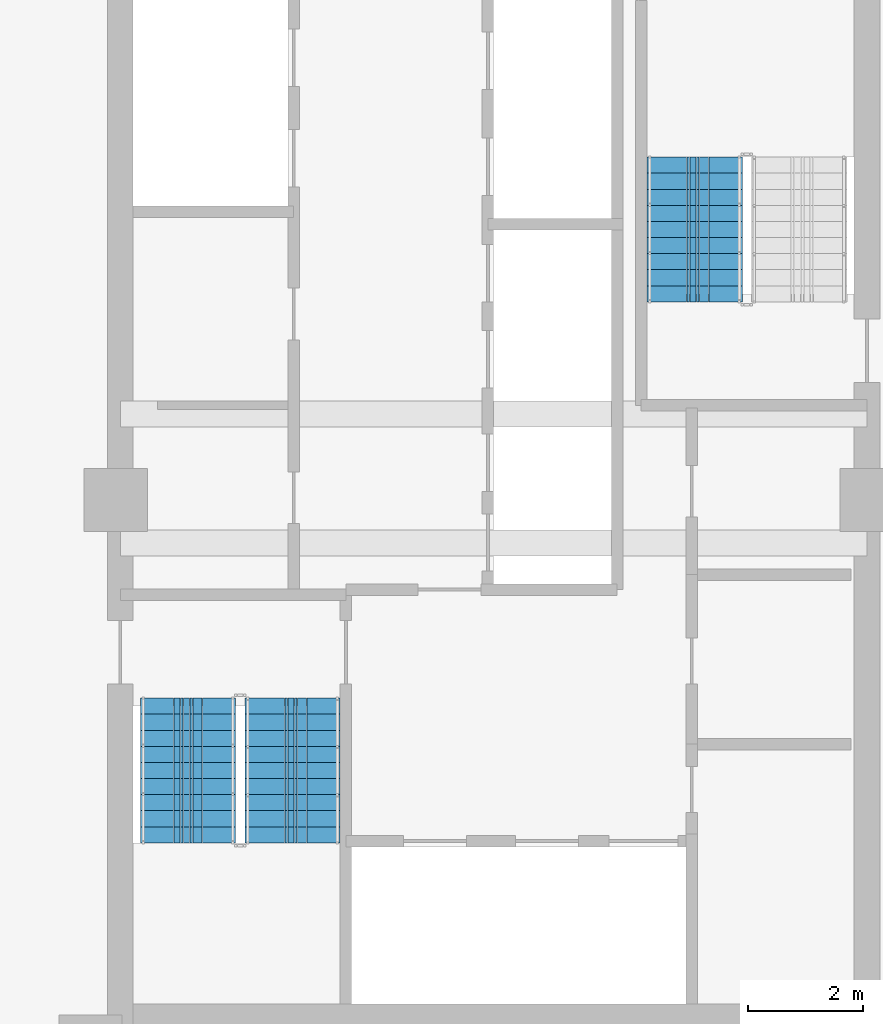
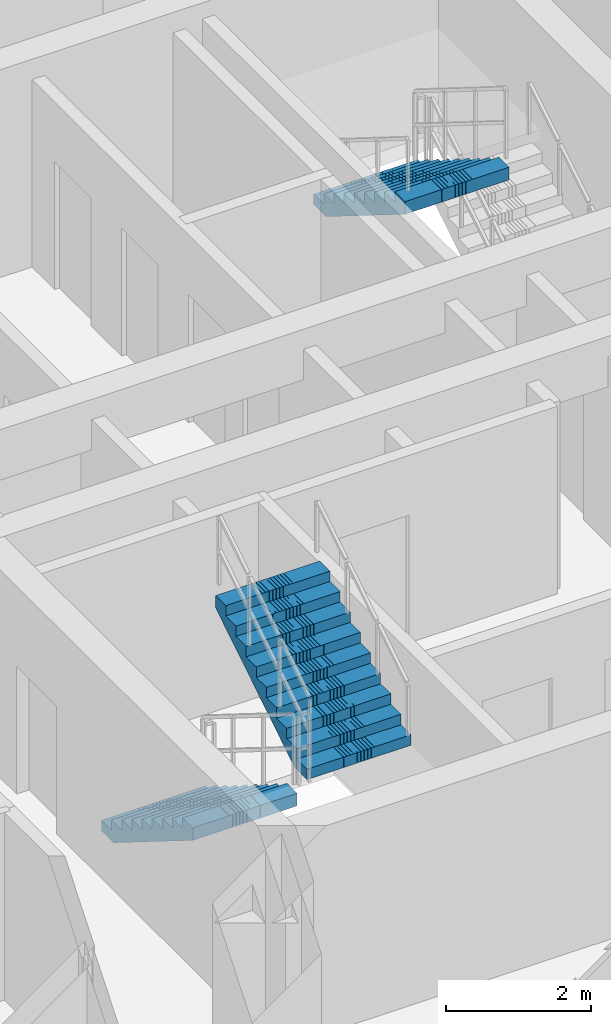
# One storey, part 11 of 13: 3 stair flights, 2 elements without a shape of their own.
"""IFC4 building model written with IfcOpenShell, lengths in metres."""

import ifcopenshell
import ifcopenshell.guid

model = None  # the IFC model being written
_history = None  # IfcOwnerHistory: only IFC2X3 demands one
_inside = {}  # id of a spatial element -> (the spatial element, [elements in it])
_under = {}  # id of a project, library or spatial element -> (it, [spatial elements below it])
_declared = {}  # id of a project -> (the project, [libraries it declares])
_typed = {}  # id of a type object -> (the type object, [elements of that type])
_made_of = {}  # id of a material, layer set ... -> (it, [elements and type objects made of it])


def new_model(schema):
    """Start an empty IFC model of exactly this schema.

    Asked for "IFC4X3", IfcOpenShell would pick the latest addendum, in which some entities
    have other attributes; the version numbers below select the first issue.
    IFC2X3 requires an IfcOwnerHistory on every rooted entity: one is made here for all.
    """
    global model, _history
    if schema == "IFC4X3":
        model = ifcopenshell.file(schema_version=(4, 3, 0, 0))
    else:
        model = ifcopenshell.file(schema=schema)
    _inside.clear()
    _under.clear()
    _declared.clear()
    _typed.clear()
    _made_of.clear()
    _history = None
    if model.schema == "IFC2X3":
        org = make("IfcOrganization", Name="unknown")
        user = make(
            "IfcPersonAndOrganization",
            ThePerson=make("IfcPerson", FamilyName="unknown"),
            TheOrganization=org,
        )
        app = make(
            "IfcApplication",
            ApplicationDeveloper=org,
            Version="unknown",
            ApplicationFullName="unknown",
            ApplicationIdentifier="unknown",
        )
        _history = make(
            "IfcOwnerHistory",
            OwningUser=user,
            OwningApplication=app,
            ChangeAction="ADDED",
            CreationDate=0,
        )
    return model


def make(cls, **values):
    """One entity of the class cls with the attributes given. An attribute that is None is left unset."""
    return model.create_entity(
        cls, **{name: value for name, value in values.items() if value is not None}
    )


def rooted(cls, **values):
    """An entity with a GlobalId (a new one), such as an element, a storey or a relation."""
    return make(cls, GlobalId=ifcopenshell.guid.new(), OwnerHistory=_history, **values)


def si_unit(unit_type, name, prefix=None):
    """IfcSIUnit, for example si_unit("LENGTHUNIT", "METRE", prefix="MILLI")."""
    return make("IfcSIUnit", UnitType=unit_type, Prefix=prefix, Name=name)


def assignment(units):
    """IfcUnitAssignment: the units of a project."""
    return None if units is None else make("IfcUnitAssignment", Units=units)


def point(xyz):
    """IfcCartesianPoint."""
    return None if xyz is None else make("IfcCartesianPoint", Coordinates=xyz)


def direction(xyz):
    """IfcDirection."""
    return None if xyz is None else make("IfcDirection", DirectionRatios=xyz)


def frame(location, z_axis=None, x_axis=None):
    """IfcAxis2Placement3D, a coordinate frame: its origin and axes. An axis left out is left unset."""
    return make(
        "IfcAxis2Placement3D",
        Location=point(location),
        Axis=direction(z_axis),
        RefDirection=direction(x_axis),
    )


def origin():
    """The frame at (0, 0, 0) with its axes left unset."""
    return frame((0.0, 0.0, 0.0))


def place(relative_to, where):
    """IfcLocalPlacement: puts the frame where relative to a parent placement (None: the world)."""
    return make(
        "IfcLocalPlacement", PlacementRelTo=relative_to, RelativePlacement=where
    )


def context(
    kind, dimensions, precision=None, world=None, true_north=None, identifier=None
):
    """IfcGeometricRepresentationContext, for example the 3D "Model" context."""
    return make(
        "IfcGeometricRepresentationContext",
        ContextIdentifier=identifier,
        ContextType=kind,
        CoordinateSpaceDimension=dimensions,
        Precision=precision,
        WorldCoordinateSystem=world,
        TrueNorth=true_north,
    )


def subcontext(parent, identifier, kind, view, scale=None):
    """IfcGeometricRepresentationSubContext, for example "Body" below "Model"."""
    return make(
        "IfcGeometricRepresentationSubContext",
        ContextIdentifier=identifier,
        ContextType=kind,
        ParentContext=parent,
        TargetScale=scale,
        TargetView=view,
    )


def project(units=None, contexts=None):
    """IfcProject with its units and contexts."""
    return rooted(
        "IfcProject",
        Name="project",
        RepresentationContexts=contexts,
        UnitsInContext=assignment(units),
    )


def spatial(cls, under=None, at=None, **own):
    """A site, building, storey or space (cls), placed at a placement, below another one or the project."""
    s = rooted(cls, ObjectPlacement=at, **own)
    if under is not None:
        _under.setdefault(under.id(), (under, []))[1].append(s)
    return s


def polyline(points):
    """IfcPolyline through the points."""
    return make("IfcPolyline", Points=[point(p) for p in points])


def outline(outer, holes=None, kind="AREA"):
    """IfcArbitraryClosedProfileDef: a profile drawn as a closed curve; with holes, ...WithVoids."""
    if holes is None:
        return make("IfcArbitraryClosedProfileDef", ProfileType=kind, OuterCurve=outer)
    return make(
        "IfcArbitraryProfileDefWithVoids",
        ProfileType=kind,
        OuterCurve=outer,
        InnerCurves=holes,
    )


def extrude(swept, where, along, depth):
    """IfcExtrudedAreaSolid: the profile swept, set in the frame where, extruded along a direction by depth."""
    return make(
        "IfcExtrudedAreaSolid",
        SweptArea=swept,
        Position=where,
        ExtrudedDirection=direction(along),
        Depth=depth,
    )


def shape(context_of_items, identifier, shape_type, items):
    """IfcShapeRepresentation: the items that make up one representation, for example the "Body"."""
    return make(
        "IfcShapeRepresentation",
        ContextOfItems=context_of_items,
        RepresentationIdentifier=identifier,
        RepresentationType=shape_type,
        Items=items,
    )


def material(Name=None, Category=None):
    """IfcMaterial."""
    return make("IfcMaterial", Name=Name, Category=Category)


def made_of(thing, what):
    """Note that an element or type object is made of a material, layer set ...; save() writes the relation."""
    if what is not None:
        _made_of.setdefault(what.id(), (what, []))[1].append(thing)
    return thing


def type_object(cls, material=None, **own):
    """A type object (cls), such as IfcWallType, which elements share."""
    return made_of(rooted(cls, **own), material)


def element(
    cls,
    number,
    at=None,
    inside=None,
    cuts=None,
    type_object=None,
    material=None,
    context=None,
    identifier="Body",
    shape_type=None,
    held_by="IfcProductDefinitionShape",
    body=None,
    shapes=None,
    **own,
):
    """One element of the class cls, such as IfcWall. Its Tag is "e" and its number.

    at: its placement. inside: the storey or other place that contains it. cuts: it is an
    opening in that element (IfcRelVoidsElement). A single representation is given by context,
    identifier, shape_type and body (its items); several are given by shapes. held_by: the class
    of the entity that holds the representations. save() writes the other relations.
    """
    e = rooted(cls, Tag="e%d" % number, ObjectPlacement=at, **own)
    if body is not None:
        shapes = [shape(context, identifier, shape_type, body)]
    if shapes is not None:
        e.Representation = make(held_by, Representations=shapes)
    if inside is not None:
        _inside.setdefault(inside.id(), (inside, []))[1].append(e)
    if cuts is not None:
        rooted(
            "IfcRelVoidsElement", RelatingBuildingElement=cuts, RelatedOpeningElement=e
        )
    if type_object is not None:
        _typed.setdefault(type_object.id(), (type_object, []))[1].append(e)
    return made_of(e, material)


def aggregate(whole, parts):
    """IfcRelAggregates: a whole, such as a stair, and the parts it consists of."""
    return rooted("IfcRelAggregates", RelatingObject=whole, RelatedObjects=parts)


def save(model, path):
    """Write the relations noted so far, then the file.

    IfcRelAggregates (storeys below a building ...), IfcRelContainedInSpatialStructure (elements
    in a storey), IfcRelDefinesByType, IfcRelAssociatesMaterial and IfcRelDeclares: one each for
    every whole, place, type object, material and project.
    """
    for whole, parts in _under.values():
        aggregate(whole, parts)
    for where, things in _inside.values():
        rooted(
            "IfcRelContainedInSpatialStructure",
            RelatedElements=things,
            RelatingStructure=where,
        )
    for kind, things in _typed.values():
        rooted("IfcRelDefinesByType", RelatedObjects=things, RelatingType=kind)
    for what, things in _made_of.values():
        rooted("IfcRelAssociatesMaterial", RelatedObjects=things, RelatingMaterial=what)
    for by, libraries in _declared.values():
        rooted("IfcRelDeclares", RelatingContext=by, RelatedDefinitions=libraries)
    model.write(path)


model = new_model("IFC4")

# Units and contexts
model_context = context("Model", 3, precision=1e-05, world=origin(), true_north=direction((0.0, 1.0)))
body_context = subcontext(model_context, "Body", "Model", "MODEL_VIEW")
ifc_project = project(units=[si_unit("LENGTHUNIT", "METRE"), si_unit("AREAUNIT", "SQUARE_METRE"), si_unit("VOLUMEUNIT", "CUBIC_METRE"), si_unit("PLANEANGLEUNIT", "RADIAN"), si_unit("MASSUNIT", "GRAM", prefix="KILO")], contexts=[model_context])

# Site, building, storey
site_placement = place(None, origin())
site = spatial("IfcSite", under=ifc_project, at=site_placement, CompositionType="ELEMENT")
building_placement = place(site_placement, origin())
building = spatial("IfcBuilding", under=site, at=building_placement, Name="Saelheon Loggia Tower", CompositionType="ELEMENT")
storey_placement = place(building_placement, frame((0.0, 0.0, 148.699951171875)))
storey = spatial("IfcBuildingStorey", under=building, at=storey_placement, Name="L47", CompositionType="ELEMENT", Elevation=148.699951171875)

# Stair, stair flights
ifc_material = material(Name="Concrete C40/50", Category="concrete")
stair_type = type_object("IfcStairType", Name="Stair_Escape_Core", PredefinedType="HALF_TURN_STAIR", material=ifc_material)
stair_1_placement = place(storey_placement, origin())
stair_1 = element("IfcStair", 1, at=stair_1_placement, inside=storey, type_object=stair_type, Name="L47 Special Escape Stair ST1", PredefinedType="HALF_TURN_STAIR")
stair_flight_type = type_object("IfcStairFlightType", Name="StairFlight_Tower_1660", PredefinedType="STRAIGHT", material=ifc_material)
stair_flight_1_placement = place(storey_placement, frame((32.679931640625, 23.550048828125, 0.0), z_axis=(0.0, 0.0, 1.0), x_axis=(0.0, -1.0, 0.0)))
stair_flight_1 = element("IfcStairFlight", 2, at=stair_flight_1_placement, type_object=stair_flight_type, Name="ST1 flight 1", NumberOfRisers=10, NumberOfTreads=9, PredefinedType="STRAIGHT", RiserHeight=0.175, TreadLength=0.28, context=body_context, shape_type="SweptSolid", body=[
    extrude(outline(polyline([(0.0, 0.0), (0.0, 0.175048828125), (0.280029296875, 0.175048828125), (0.280029296875, 0.35009765625), (0.56005859375, 0.35009765625), (0.56005859375, 0.52490234375), (0.840087890625, 0.52490234375), (0.840087890625, 0.699951171875), (1.1201171875, 0.699951171875), (1.1201171875, 0.875), (1.39990234375, 0.875), (1.39990234375, 1.050048828125), (1.679931640625, 1.050048828125), (1.679931640625, 1.22509765625), (1.9599609375, 1.22509765625), (1.9599609375, 1.39990234375), (2.239990234375, 1.39990234375), (2.239990234375, 1.574951171875), (2.52001953125, 1.574951171875), (2.52001953125, 1.75), (2.52001953125, 1.36279296875), (0.339599609375, 0.0), (0.0, 0.0)])), frame((0.0, -0.2490234375, 0.0), z_axis=(0.0, -1.0, 0.0), x_axis=(1.0, 0.0, 0.0)), (0.0, 0.0, 1.0), 0.5810546875),
    extrude(outline(polyline([(0.0, 0.0), (0.0, 0.175048828125), (0.280029296875, 0.175048828125), (0.280029296875, 0.35009765625), (0.56005859375, 0.35009765625), (0.56005859375, 0.52490234375), (0.840087890625, 0.52490234375), (0.840087890625, 0.699951171875), (1.1201171875, 0.699951171875), (1.1201171875, 0.875), (1.39990234375, 0.875), (1.39990234375, 1.050048828125), (1.679931640625, 1.050048828125), (1.679931640625, 1.22509765625), (1.9599609375, 1.22509765625), (1.9599609375, 1.39990234375), (2.239990234375, 1.39990234375), (2.239990234375, 1.574951171875), (2.52001953125, 1.574951171875), (2.52001953125, 1.75), (2.52001953125, 1.36279296875), (0.339599609375, 0.0), (0.0, 0.0)])), frame((0.0, -0.194091796875, 0.0), z_axis=(0.0, -1.0, 0.0), x_axis=(1.0, 0.0, 0.0)), (0.0, 0.0, 1.0), 0.0498046875),
    extrude(outline(polyline([(0.0, 0.0), (0.0, 0.175048828125), (0.280029296875, 0.175048828125), (0.280029296875, 0.35009765625), (0.56005859375, 0.35009765625), (0.56005859375, 0.52490234375), (0.840087890625, 0.52490234375), (0.840087890625, 0.699951171875), (1.1201171875, 0.699951171875), (1.1201171875, 0.875), (1.39990234375, 0.875), (1.39990234375, 1.050048828125), (1.679931640625, 1.050048828125), (1.679931640625, 1.22509765625), (1.9599609375, 1.22509765625), (1.9599609375, 1.39990234375), (2.239990234375, 1.39990234375), (2.239990234375, 1.574951171875), (2.52001953125, 1.574951171875), (2.52001953125, 1.75), (2.52001953125, 1.36279296875), (0.339599609375, 0.0), (0.0, 0.0)])), frame((0.0, -0.139404296875, 0.0), z_axis=(0.0, -1.0, 0.0), x_axis=(1.0, 0.0, 0.0)), (0.0, 0.0, 1.0), 0.0498046875),
    extrude(outline(polyline([(0.0, 0.0), (0.0, 0.175048828125), (0.280029296875, 0.175048828125), (0.280029296875, 0.35009765625), (0.56005859375, 0.35009765625), (0.56005859375, 0.52490234375), (0.840087890625, 0.52490234375), (0.840087890625, 0.699951171875), (1.1201171875, 0.699951171875), (1.1201171875, 0.875), (1.39990234375, 0.875), (1.39990234375, 1.050048828125), (1.679931640625, 1.050048828125), (1.679931640625, 1.22509765625), (1.9599609375, 1.22509765625), (1.9599609375, 1.39990234375), (2.239990234375, 1.39990234375), (2.239990234375, 1.574951171875), (2.52001953125, 1.574951171875), (2.52001953125, 1.75), (2.52001953125, 1.36279296875), (0.339599609375, 0.0), (0.0, 0.0)])), frame((0.0, -0.084716796875, 0.0), z_axis=(0.0, -1.0, 0.0), x_axis=(1.0, 0.0, 0.0)), (0.0, 0.0, 1.0), 0.0498046875),
    extrude(outline(polyline([(0.0, 0.0), (0.0, 0.175048828125), (0.280029296875, 0.175048828125), (0.280029296875, 0.35009765625), (0.56005859375, 0.35009765625), (0.56005859375, 0.52490234375), (0.840087890625, 0.52490234375), (0.840087890625, 0.699951171875), (1.1201171875, 0.699951171875), (1.1201171875, 0.875), (1.39990234375, 0.875), (1.39990234375, 1.050048828125), (1.679931640625, 1.050048828125), (1.679931640625, 1.22509765625), (1.9599609375, 1.22509765625), (1.9599609375, 1.39990234375), (2.239990234375, 1.39990234375), (2.239990234375, 1.574951171875), (2.52001953125, 1.574951171875), (2.52001953125, 1.75), (2.52001953125, 1.36279296875), (0.339599609375, 0.0), (0.0, 0.0)])), frame((0.0, -0.02978515625, 0.0), z_axis=(0.0, -1.0, 0.0), x_axis=(1.0, 0.0, 0.0)), (0.0, 0.0, 1.0), 0.0498046875),
    extrude(outline(polyline([(0.0, 0.0), (0.0, 0.175048828125), (0.280029296875, 0.175048828125), (0.280029296875, 0.35009765625), (0.56005859375, 0.35009765625), (0.56005859375, 0.52490234375), (0.840087890625, 0.52490234375), (0.840087890625, 0.699951171875), (1.1201171875, 0.699951171875), (1.1201171875, 0.875), (1.39990234375, 0.875), (1.39990234375, 1.050048828125), (1.679931640625, 1.050048828125), (1.679931640625, 1.22509765625), (1.9599609375, 1.22509765625), (1.9599609375, 1.39990234375), (2.239990234375, 1.39990234375), (2.239990234375, 1.574951171875), (2.52001953125, 1.574951171875), (2.52001953125, 1.75), (2.52001953125, 1.36279296875), (0.339599609375, 0.0), (0.0, 0.0)])), frame((0.0, 0.02490234375, 0.0), z_axis=(0.0, -1.0, 0.0), x_axis=(1.0, 0.0, 0.0)), (0.0, 0.0, 1.0), 0.0498046875),
    extrude(outline(polyline([(0.0, 0.0), (0.0, 0.175048828125), (0.280029296875, 0.175048828125), (0.280029296875, 0.35009765625), (0.56005859375, 0.35009765625), (0.56005859375, 0.52490234375), (0.840087890625, 0.52490234375), (0.840087890625, 0.699951171875), (1.1201171875, 0.699951171875), (1.1201171875, 0.875), (1.39990234375, 0.875), (1.39990234375, 1.050048828125), (1.679931640625, 1.050048828125), (1.679931640625, 1.22509765625), (1.9599609375, 1.22509765625), (1.9599609375, 1.39990234375), (2.239990234375, 1.39990234375), (2.239990234375, 1.574951171875), (2.52001953125, 1.574951171875), (2.52001953125, 1.75), (2.52001953125, 1.36279296875), (0.339599609375, 0.0), (0.0, 0.0)])), frame((0.0, 0.07958984375, 0.0), z_axis=(0.0, -1.0, 0.0), x_axis=(1.0, 0.0, 0.0)), (0.0, 0.0, 1.0), 0.0498046875),
    extrude(outline(polyline([(0.0, 0.0), (0.0, 0.175048828125), (0.280029296875, 0.175048828125), (0.280029296875, 0.35009765625), (0.56005859375, 0.35009765625), (0.56005859375, 0.52490234375), (0.840087890625, 0.52490234375), (0.840087890625, 0.699951171875), (1.1201171875, 0.699951171875), (1.1201171875, 0.875), (1.39990234375, 0.875), (1.39990234375, 1.050048828125), (1.679931640625, 1.050048828125), (1.679931640625, 1.22509765625), (1.9599609375, 1.22509765625), (1.9599609375, 1.39990234375), (2.239990234375, 1.39990234375), (2.239990234375, 1.574951171875), (2.52001953125, 1.574951171875), (2.52001953125, 1.75), (2.52001953125, 1.36279296875), (0.339599609375, 0.0), (0.0, 0.0)])), frame((0.0, 0.134521484375, 0.0), z_axis=(0.0, -1.0, 0.0), x_axis=(1.0, 0.0, 0.0)), (0.0, 0.0, 1.0), 0.0498046875),
    extrude(outline(polyline([(0.0, 0.0), (0.0, 0.175048828125), (0.280029296875, 0.175048828125), (0.280029296875, 0.35009765625), (0.56005859375, 0.35009765625), (0.56005859375, 0.52490234375), (0.840087890625, 0.52490234375), (0.840087890625, 0.699951171875), (1.1201171875, 0.699951171875), (1.1201171875, 0.875), (1.39990234375, 0.875), (1.39990234375, 1.050048828125), (1.679931640625, 1.050048828125), (1.679931640625, 1.22509765625), (1.9599609375, 1.22509765625), (1.9599609375, 1.39990234375), (2.239990234375, 1.39990234375), (2.239990234375, 1.574951171875), (2.52001953125, 1.574951171875), (2.52001953125, 1.75), (2.52001953125, 1.36279296875), (0.339599609375, 0.0), (0.0, 0.0)])), frame((0.0, 0.189208984375, 0.0), z_axis=(0.0, -1.0, 0.0), x_axis=(1.0, 0.0, 0.0)), (0.0, 0.0, 1.0), 0.0498046875),
    extrude(outline(polyline([(0.0, 0.0), (0.0, 0.175048828125), (0.280029296875, 0.175048828125), (0.280029296875, 0.35009765625), (0.56005859375, 0.35009765625), (0.56005859375, 0.52490234375), (0.840087890625, 0.52490234375), (0.840087890625, 0.699951171875), (1.1201171875, 0.699951171875), (1.1201171875, 0.875), (1.39990234375, 0.875), (1.39990234375, 1.050048828125), (1.679931640625, 1.050048828125), (1.679931640625, 1.22509765625), (1.9599609375, 1.22509765625), (1.9599609375, 1.39990234375), (2.239990234375, 1.39990234375), (2.239990234375, 1.574951171875), (2.52001953125, 1.574951171875), (2.52001953125, 1.75), (2.52001953125, 1.36279296875), (0.339599609375, 0.0), (0.0, 0.0)])), frame((0.0, 0.243896484375, 0.0), z_axis=(0.0, -1.0, 0.0), x_axis=(1.0, 0.0, 0.0)), (0.0, 0.0, 1.0), 0.0498046875),
    extrude(outline(polyline([(0.0, 0.0), (0.0, 0.175048828125), (0.280029296875, 0.175048828125), (0.280029296875, 0.35009765625), (0.56005859375, 0.35009765625), (0.56005859375, 0.52490234375), (0.840087890625, 0.52490234375), (0.840087890625, 0.699951171875), (1.1201171875, 0.699951171875), (1.1201171875, 0.875), (1.39990234375, 0.875), (1.39990234375, 1.050048828125), (1.679931640625, 1.050048828125), (1.679931640625, 1.22509765625), (1.9599609375, 1.22509765625), (1.9599609375, 1.39990234375), (2.239990234375, 1.39990234375), (2.239990234375, 1.574951171875), (2.52001953125, 1.574951171875), (2.52001953125, 1.75), (2.52001953125, 1.36279296875), (0.339599609375, 0.0), (0.0, 0.0)])), frame((0.0, 0.830078125, 0.0), z_axis=(0.0, -1.0, 0.0), x_axis=(1.0, 0.0, 0.0)), (0.0, 0.0, 1.0), 0.5810546875),
])
stair_flight_2_placement = place(storey_placement, frame((34.5, 21.030029296875, 1.75), z_axis=(0.0, 0.0, 1.0), x_axis=(0.0, 1.0, 0.0)))
stair_flight_2 = element("IfcStairFlight", 3, at=stair_flight_2_placement, type_object=stair_flight_type, Name="ST1 flight 2", NumberOfRisers=10, NumberOfTreads=9, PredefinedType="STRAIGHT", RiserHeight=0.175, TreadLength=0.28, context=body_context, shape_type="SweptSolid", body=[
    extrude(outline(polyline([(0.0, 0.0), (0.0, 0.175048828125), (0.280029296875, 0.175048828125), (0.280029296875, 0.35009765625), (0.56005859375, 0.35009765625), (0.56005859375, 0.52490234375), (0.840087890625, 0.52490234375), (0.840087890625, 0.699951171875), (1.1201171875, 0.699951171875), (1.1201171875, 0.875), (1.39990234375, 0.875), (1.39990234375, 1.050048828125), (1.679931640625, 1.050048828125), (1.679931640625, 1.22509765625), (1.9599609375, 1.22509765625), (1.9599609375, 1.39990234375), (2.239990234375, 1.39990234375), (2.239990234375, 1.574951171875), (2.52001953125, 1.574951171875), (2.52001953125, 1.75), (2.52001953125, 1.36279296875), (0.339599609375, 0.0), (0.0, 0.0)])), frame((0.0, -0.2490234375, 0.0), z_axis=(0.0, -1.0, 0.0), x_axis=(1.0, 0.0, 0.0)), (0.0, 0.0, 1.0), 0.5810546875),
    extrude(outline(polyline([(0.0, 0.0), (0.0, 0.175048828125), (0.280029296875, 0.175048828125), (0.280029296875, 0.35009765625), (0.56005859375, 0.35009765625), (0.56005859375, 0.52490234375), (0.840087890625, 0.52490234375), (0.840087890625, 0.699951171875), (1.1201171875, 0.699951171875), (1.1201171875, 0.875), (1.39990234375, 0.875), (1.39990234375, 1.050048828125), (1.679931640625, 1.050048828125), (1.679931640625, 1.22509765625), (1.9599609375, 1.22509765625), (1.9599609375, 1.39990234375), (2.239990234375, 1.39990234375), (2.239990234375, 1.574951171875), (2.52001953125, 1.574951171875), (2.52001953125, 1.75), (2.52001953125, 1.36279296875), (0.339599609375, 0.0), (0.0, 0.0)])), frame((0.0, -0.194091796875, 0.0), z_axis=(0.0, -1.0, 0.0), x_axis=(1.0, 0.0, 0.0)), (0.0, 0.0, 1.0), 0.0498046875),
    extrude(outline(polyline([(0.0, 0.0), (0.0, 0.175048828125), (0.280029296875, 0.175048828125), (0.280029296875, 0.35009765625), (0.56005859375, 0.35009765625), (0.56005859375, 0.52490234375), (0.840087890625, 0.52490234375), (0.840087890625, 0.699951171875), (1.1201171875, 0.699951171875), (1.1201171875, 0.875), (1.39990234375, 0.875), (1.39990234375, 1.050048828125), (1.679931640625, 1.050048828125), (1.679931640625, 1.22509765625), (1.9599609375, 1.22509765625), (1.9599609375, 1.39990234375), (2.239990234375, 1.39990234375), (2.239990234375, 1.574951171875), (2.52001953125, 1.574951171875), (2.52001953125, 1.75), (2.52001953125, 1.36279296875), (0.339599609375, 0.0), (0.0, 0.0)])), frame((0.0, -0.139404296875, 0.0), z_axis=(0.0, -1.0, 0.0), x_axis=(1.0, 0.0, 0.0)), (0.0, 0.0, 1.0), 0.0498046875),
    extrude(outline(polyline([(0.0, 0.0), (0.0, 0.175048828125), (0.280029296875, 0.175048828125), (0.280029296875, 0.35009765625), (0.56005859375, 0.35009765625), (0.56005859375, 0.52490234375), (0.840087890625, 0.52490234375), (0.840087890625, 0.699951171875), (1.1201171875, 0.699951171875), (1.1201171875, 0.875), (1.39990234375, 0.875), (1.39990234375, 1.050048828125), (1.679931640625, 1.050048828125), (1.679931640625, 1.22509765625), (1.9599609375, 1.22509765625), (1.9599609375, 1.39990234375), (2.239990234375, 1.39990234375), (2.239990234375, 1.574951171875), (2.52001953125, 1.574951171875), (2.52001953125, 1.75), (2.52001953125, 1.36279296875), (0.339599609375, 0.0), (0.0, 0.0)])), frame((0.0, -0.084716796875, 0.0), z_axis=(0.0, -1.0, 0.0), x_axis=(1.0, 0.0, 0.0)), (0.0, 0.0, 1.0), 0.0498046875),
    extrude(outline(polyline([(0.0, 0.0), (0.0, 0.175048828125), (0.280029296875, 0.175048828125), (0.280029296875, 0.35009765625), (0.56005859375, 0.35009765625), (0.56005859375, 0.52490234375), (0.840087890625, 0.52490234375), (0.840087890625, 0.699951171875), (1.1201171875, 0.699951171875), (1.1201171875, 0.875), (1.39990234375, 0.875), (1.39990234375, 1.050048828125), (1.679931640625, 1.050048828125), (1.679931640625, 1.22509765625), (1.9599609375, 1.22509765625), (1.9599609375, 1.39990234375), (2.239990234375, 1.39990234375), (2.239990234375, 1.574951171875), (2.52001953125, 1.574951171875), (2.52001953125, 1.75), (2.52001953125, 1.36279296875), (0.339599609375, 0.0), (0.0, 0.0)])), frame((0.0, -0.02978515625, 0.0), z_axis=(0.0, -1.0, 0.0), x_axis=(1.0, 0.0, 0.0)), (0.0, 0.0, 1.0), 0.0498046875),
    extrude(outline(polyline([(0.0, 0.0), (0.0, 0.175048828125), (0.280029296875, 0.175048828125), (0.280029296875, 0.35009765625), (0.56005859375, 0.35009765625), (0.56005859375, 0.52490234375), (0.840087890625, 0.52490234375), (0.840087890625, 0.699951171875), (1.1201171875, 0.699951171875), (1.1201171875, 0.875), (1.39990234375, 0.875), (1.39990234375, 1.050048828125), (1.679931640625, 1.050048828125), (1.679931640625, 1.22509765625), (1.9599609375, 1.22509765625), (1.9599609375, 1.39990234375), (2.239990234375, 1.39990234375), (2.239990234375, 1.574951171875), (2.52001953125, 1.574951171875), (2.52001953125, 1.75), (2.52001953125, 1.36279296875), (0.339599609375, 0.0), (0.0, 0.0)])), frame((0.0, 0.02490234375, 0.0), z_axis=(0.0, -1.0, 0.0), x_axis=(1.0, 0.0, 0.0)), (0.0, 0.0, 1.0), 0.0498046875),
    extrude(outline(polyline([(0.0, 0.0), (0.0, 0.175048828125), (0.280029296875, 0.175048828125), (0.280029296875, 0.35009765625), (0.56005859375, 0.35009765625), (0.56005859375, 0.52490234375), (0.840087890625, 0.52490234375), (0.840087890625, 0.699951171875), (1.1201171875, 0.699951171875), (1.1201171875, 0.875), (1.39990234375, 0.875), (1.39990234375, 1.050048828125), (1.679931640625, 1.050048828125), (1.679931640625, 1.22509765625), (1.9599609375, 1.22509765625), (1.9599609375, 1.39990234375), (2.239990234375, 1.39990234375), (2.239990234375, 1.574951171875), (2.52001953125, 1.574951171875), (2.52001953125, 1.75), (2.52001953125, 1.36279296875), (0.339599609375, 0.0), (0.0, 0.0)])), frame((0.0, 0.07958984375, 0.0), z_axis=(0.0, -1.0, 0.0), x_axis=(1.0, 0.0, 0.0)), (0.0, 0.0, 1.0), 0.0498046875),
    extrude(outline(polyline([(0.0, 0.0), (0.0, 0.175048828125), (0.280029296875, 0.175048828125), (0.280029296875, 0.35009765625), (0.56005859375, 0.35009765625), (0.56005859375, 0.52490234375), (0.840087890625, 0.52490234375), (0.840087890625, 0.699951171875), (1.1201171875, 0.699951171875), (1.1201171875, 0.875), (1.39990234375, 0.875), (1.39990234375, 1.050048828125), (1.679931640625, 1.050048828125), (1.679931640625, 1.22509765625), (1.9599609375, 1.22509765625), (1.9599609375, 1.39990234375), (2.239990234375, 1.39990234375), (2.239990234375, 1.574951171875), (2.52001953125, 1.574951171875), (2.52001953125, 1.75), (2.52001953125, 1.36279296875), (0.339599609375, 0.0), (0.0, 0.0)])), frame((0.0, 0.134521484375, 0.0), z_axis=(0.0, -1.0, 0.0), x_axis=(1.0, 0.0, 0.0)), (0.0, 0.0, 1.0), 0.0498046875),
    extrude(outline(polyline([(0.0, 0.0), (0.0, 0.175048828125), (0.280029296875, 0.175048828125), (0.280029296875, 0.35009765625), (0.56005859375, 0.35009765625), (0.56005859375, 0.52490234375), (0.840087890625, 0.52490234375), (0.840087890625, 0.699951171875), (1.1201171875, 0.699951171875), (1.1201171875, 0.875), (1.39990234375, 0.875), (1.39990234375, 1.050048828125), (1.679931640625, 1.050048828125), (1.679931640625, 1.22509765625), (1.9599609375, 1.22509765625), (1.9599609375, 1.39990234375), (2.239990234375, 1.39990234375), (2.239990234375, 1.574951171875), (2.52001953125, 1.574951171875), (2.52001953125, 1.75), (2.52001953125, 1.36279296875), (0.339599609375, 0.0), (0.0, 0.0)])), frame((0.0, 0.189208984375, 0.0), z_axis=(0.0, -1.0, 0.0), x_axis=(1.0, 0.0, 0.0)), (0.0, 0.0, 1.0), 0.0498046875),
    extrude(outline(polyline([(0.0, 0.0), (0.0, 0.175048828125), (0.280029296875, 0.175048828125), (0.280029296875, 0.35009765625), (0.56005859375, 0.35009765625), (0.56005859375, 0.52490234375), (0.840087890625, 0.52490234375), (0.840087890625, 0.699951171875), (1.1201171875, 0.699951171875), (1.1201171875, 0.875), (1.39990234375, 0.875), (1.39990234375, 1.050048828125), (1.679931640625, 1.050048828125), (1.679931640625, 1.22509765625), (1.9599609375, 1.22509765625), (1.9599609375, 1.39990234375), (2.239990234375, 1.39990234375), (2.239990234375, 1.574951171875), (2.52001953125, 1.574951171875), (2.52001953125, 1.75), (2.52001953125, 1.36279296875), (0.339599609375, 0.0), (0.0, 0.0)])), frame((0.0, 0.243896484375, 0.0), z_axis=(0.0, -1.0, 0.0), x_axis=(1.0, 0.0, 0.0)), (0.0, 0.0, 1.0), 0.0498046875),
    extrude(outline(polyline([(0.0, 0.0), (0.0, 0.175048828125), (0.280029296875, 0.175048828125), (0.280029296875, 0.35009765625), (0.56005859375, 0.35009765625), (0.56005859375, 0.52490234375), (0.840087890625, 0.52490234375), (0.840087890625, 0.699951171875), (1.1201171875, 0.699951171875), (1.1201171875, 0.875), (1.39990234375, 0.875), (1.39990234375, 1.050048828125), (1.679931640625, 1.050048828125), (1.679931640625, 1.22509765625), (1.9599609375, 1.22509765625), (1.9599609375, 1.39990234375), (2.239990234375, 1.39990234375), (2.239990234375, 1.574951171875), (2.52001953125, 1.574951171875), (2.52001953125, 1.75), (2.52001953125, 1.36279296875), (0.339599609375, 0.0), (0.0, 0.0)])), frame((0.0, 0.830078125, 0.0), z_axis=(0.0, -1.0, 0.0), x_axis=(1.0, 0.0, 0.0)), (0.0, 0.0, 1.0), 0.5810546875),
])
aggregate(stair_1, [stair_flight_1, stair_flight_2])

# Stair, stair flight
stair_2_placement = place(storey_placement, origin())
stair_2 = element("IfcStair", 4, at=stair_2_placement, inside=storey, type_object=stair_type, Name="L47 Special Escape Stair ST2", PredefinedType="HALF_TURN_STAIR")
stair_flight_3_placement = place(storey_placement, frame((41.5, 32.969970703125, 1.75), z_axis=(0.0, 0.0, 1.0), x_axis=(0.0, -1.0, 0.0)))
stair_flight_3 = element("IfcStairFlight", 5, at=stair_flight_3_placement, type_object=stair_flight_type, Name="ST2 flight 2", NumberOfRisers=10, NumberOfTreads=9, PredefinedType="STRAIGHT", RiserHeight=0.175, TreadLength=0.28, context=body_context, shape_type="SweptSolid", body=[
    extrude(outline(polyline([(0.0, 0.0), (0.0, 0.175048828125), (0.280029296875, 0.175048828125), (0.280029296875, 0.35009765625), (0.56005859375, 0.35009765625), (0.56005859375, 0.52490234375), (0.840087890625, 0.52490234375), (0.840087890625, 0.699951171875), (1.1201171875, 0.699951171875), (1.1201171875, 0.875), (1.39990234375, 0.875), (1.39990234375, 1.050048828125), (1.679931640625, 1.050048828125), (1.679931640625, 1.22509765625), (1.9599609375, 1.22509765625), (1.9599609375, 1.39990234375), (2.239990234375, 1.39990234375), (2.239990234375, 1.574951171875), (2.52001953125, 1.574951171875), (2.52001953125, 1.75), (2.52001953125, 1.36279296875), (0.339599609375, 0.0), (0.0, 0.0)])), frame((0.0, -0.2490234375, 0.0), z_axis=(0.0, -1.0, 0.0), x_axis=(1.0, 0.0, 0.0)), (0.0, 0.0, 1.0), 0.5810546875),
    extrude(outline(polyline([(0.0, 0.0), (0.0, 0.175048828125), (0.280029296875, 0.175048828125), (0.280029296875, 0.35009765625), (0.56005859375, 0.35009765625), (0.56005859375, 0.52490234375), (0.840087890625, 0.52490234375), (0.840087890625, 0.699951171875), (1.1201171875, 0.699951171875), (1.1201171875, 0.875), (1.39990234375, 0.875), (1.39990234375, 1.050048828125), (1.679931640625, 1.050048828125), (1.679931640625, 1.22509765625), (1.9599609375, 1.22509765625), (1.9599609375, 1.39990234375), (2.239990234375, 1.39990234375), (2.239990234375, 1.574951171875), (2.52001953125, 1.574951171875), (2.52001953125, 1.75), (2.52001953125, 1.36279296875), (0.339599609375, 0.0), (0.0, 0.0)])), frame((0.0, -0.194091796875, 0.0), z_axis=(0.0, -1.0, 0.0), x_axis=(1.0, 0.0, 0.0)), (0.0, 0.0, 1.0), 0.0498046875),
    extrude(outline(polyline([(0.0, 0.0), (0.0, 0.175048828125), (0.280029296875, 0.175048828125), (0.280029296875, 0.35009765625), (0.56005859375, 0.35009765625), (0.56005859375, 0.52490234375), (0.840087890625, 0.52490234375), (0.840087890625, 0.699951171875), (1.1201171875, 0.699951171875), (1.1201171875, 0.875), (1.39990234375, 0.875), (1.39990234375, 1.050048828125), (1.679931640625, 1.050048828125), (1.679931640625, 1.22509765625), (1.9599609375, 1.22509765625), (1.9599609375, 1.39990234375), (2.239990234375, 1.39990234375), (2.239990234375, 1.574951171875), (2.52001953125, 1.574951171875), (2.52001953125, 1.75), (2.52001953125, 1.36279296875), (0.339599609375, 0.0), (0.0, 0.0)])), frame((0.0, -0.139404296875, 0.0), z_axis=(0.0, -1.0, 0.0), x_axis=(1.0, 0.0, 0.0)), (0.0, 0.0, 1.0), 0.0498046875),
    extrude(outline(polyline([(0.0, 0.0), (0.0, 0.175048828125), (0.280029296875, 0.175048828125), (0.280029296875, 0.35009765625), (0.56005859375, 0.35009765625), (0.56005859375, 0.52490234375), (0.840087890625, 0.52490234375), (0.840087890625, 0.699951171875), (1.1201171875, 0.699951171875), (1.1201171875, 0.875), (1.39990234375, 0.875), (1.39990234375, 1.050048828125), (1.679931640625, 1.050048828125), (1.679931640625, 1.22509765625), (1.9599609375, 1.22509765625), (1.9599609375, 1.39990234375), (2.239990234375, 1.39990234375), (2.239990234375, 1.574951171875), (2.52001953125, 1.574951171875), (2.52001953125, 1.75), (2.52001953125, 1.36279296875), (0.339599609375, 0.0), (0.0, 0.0)])), frame((0.0, -0.084716796875, 0.0), z_axis=(0.0, -1.0, 0.0), x_axis=(1.0, 0.0, 0.0)), (0.0, 0.0, 1.0), 0.0498046875),
    extrude(outline(polyline([(0.0, 0.0), (0.0, 0.175048828125), (0.280029296875, 0.175048828125), (0.280029296875, 0.35009765625), (0.56005859375, 0.35009765625), (0.56005859375, 0.52490234375), (0.840087890625, 0.52490234375), (0.840087890625, 0.699951171875), (1.1201171875, 0.699951171875), (1.1201171875, 0.875), (1.39990234375, 0.875), (1.39990234375, 1.050048828125), (1.679931640625, 1.050048828125), (1.679931640625, 1.22509765625), (1.9599609375, 1.22509765625), (1.9599609375, 1.39990234375), (2.239990234375, 1.39990234375), (2.239990234375, 1.574951171875), (2.52001953125, 1.574951171875), (2.52001953125, 1.75), (2.52001953125, 1.36279296875), (0.339599609375, 0.0), (0.0, 0.0)])), frame((0.0, -0.02978515625, 0.0), z_axis=(0.0, -1.0, 0.0), x_axis=(1.0, 0.0, 0.0)), (0.0, 0.0, 1.0), 0.0498046875),
    extrude(outline(polyline([(0.0, 0.0), (0.0, 0.175048828125), (0.280029296875, 0.175048828125), (0.280029296875, 0.35009765625), (0.56005859375, 0.35009765625), (0.56005859375, 0.52490234375), (0.840087890625, 0.52490234375), (0.840087890625, 0.699951171875), (1.1201171875, 0.699951171875), (1.1201171875, 0.875), (1.39990234375, 0.875), (1.39990234375, 1.050048828125), (1.679931640625, 1.050048828125), (1.679931640625, 1.22509765625), (1.9599609375, 1.22509765625), (1.9599609375, 1.39990234375), (2.239990234375, 1.39990234375), (2.239990234375, 1.574951171875), (2.52001953125, 1.574951171875), (2.52001953125, 1.75), (2.52001953125, 1.36279296875), (0.339599609375, 0.0), (0.0, 0.0)])), frame((0.0, 0.02490234375, 0.0), z_axis=(0.0, -1.0, 0.0), x_axis=(1.0, 0.0, 0.0)), (0.0, 0.0, 1.0), 0.0498046875),
    extrude(outline(polyline([(0.0, 0.0), (0.0, 0.175048828125), (0.280029296875, 0.175048828125), (0.280029296875, 0.35009765625), (0.56005859375, 0.35009765625), (0.56005859375, 0.52490234375), (0.840087890625, 0.52490234375), (0.840087890625, 0.699951171875), (1.1201171875, 0.699951171875), (1.1201171875, 0.875), (1.39990234375, 0.875), (1.39990234375, 1.050048828125), (1.679931640625, 1.050048828125), (1.679931640625, 1.22509765625), (1.9599609375, 1.22509765625), (1.9599609375, 1.39990234375), (2.239990234375, 1.39990234375), (2.239990234375, 1.574951171875), (2.52001953125, 1.574951171875), (2.52001953125, 1.75), (2.52001953125, 1.36279296875), (0.339599609375, 0.0), (0.0, 0.0)])), frame((0.0, 0.07958984375, 0.0), z_axis=(0.0, -1.0, 0.0), x_axis=(1.0, 0.0, 0.0)), (0.0, 0.0, 1.0), 0.0498046875),
    extrude(outline(polyline([(0.0, 0.0), (0.0, 0.175048828125), (0.280029296875, 0.175048828125), (0.280029296875, 0.35009765625), (0.56005859375, 0.35009765625), (0.56005859375, 0.52490234375), (0.840087890625, 0.52490234375), (0.840087890625, 0.699951171875), (1.1201171875, 0.699951171875), (1.1201171875, 0.875), (1.39990234375, 0.875), (1.39990234375, 1.050048828125), (1.679931640625, 1.050048828125), (1.679931640625, 1.22509765625), (1.9599609375, 1.22509765625), (1.9599609375, 1.39990234375), (2.239990234375, 1.39990234375), (2.239990234375, 1.574951171875), (2.52001953125, 1.574951171875), (2.52001953125, 1.75), (2.52001953125, 1.36279296875), (0.339599609375, 0.0), (0.0, 0.0)])), frame((0.0, 0.134521484375, 0.0), z_axis=(0.0, -1.0, 0.0), x_axis=(1.0, 0.0, 0.0)), (0.0, 0.0, 1.0), 0.0498046875),
    extrude(outline(polyline([(0.0, 0.0), (0.0, 0.175048828125), (0.280029296875, 0.175048828125), (0.280029296875, 0.35009765625), (0.56005859375, 0.35009765625), (0.56005859375, 0.52490234375), (0.840087890625, 0.52490234375), (0.840087890625, 0.699951171875), (1.1201171875, 0.699951171875), (1.1201171875, 0.875), (1.39990234375, 0.875), (1.39990234375, 1.050048828125), (1.679931640625, 1.050048828125), (1.679931640625, 1.22509765625), (1.9599609375, 1.22509765625), (1.9599609375, 1.39990234375), (2.239990234375, 1.39990234375), (2.239990234375, 1.574951171875), (2.52001953125, 1.574951171875), (2.52001953125, 1.75), (2.52001953125, 1.36279296875), (0.339599609375, 0.0), (0.0, 0.0)])), frame((0.0, 0.189208984375, 0.0), z_axis=(0.0, -1.0, 0.0), x_axis=(1.0, 0.0, 0.0)), (0.0, 0.0, 1.0), 0.0498046875),
    extrude(outline(polyline([(0.0, 0.0), (0.0, 0.175048828125), (0.280029296875, 0.175048828125), (0.280029296875, 0.35009765625), (0.56005859375, 0.35009765625), (0.56005859375, 0.52490234375), (0.840087890625, 0.52490234375), (0.840087890625, 0.699951171875), (1.1201171875, 0.699951171875), (1.1201171875, 0.875), (1.39990234375, 0.875), (1.39990234375, 1.050048828125), (1.679931640625, 1.050048828125), (1.679931640625, 1.22509765625), (1.9599609375, 1.22509765625), (1.9599609375, 1.39990234375), (2.239990234375, 1.39990234375), (2.239990234375, 1.574951171875), (2.52001953125, 1.574951171875), (2.52001953125, 1.75), (2.52001953125, 1.36279296875), (0.339599609375, 0.0), (0.0, 0.0)])), frame((0.0, 0.243896484375, 0.0), z_axis=(0.0, -1.0, 0.0), x_axis=(1.0, 0.0, 0.0)), (0.0, 0.0, 1.0), 0.0498046875),
    extrude(outline(polyline([(0.0, 0.0), (0.0, 0.175048828125), (0.280029296875, 0.175048828125), (0.280029296875, 0.35009765625), (0.56005859375, 0.35009765625), (0.56005859375, 0.52490234375), (0.840087890625, 0.52490234375), (0.840087890625, 0.699951171875), (1.1201171875, 0.699951171875), (1.1201171875, 0.875), (1.39990234375, 0.875), (1.39990234375, 1.050048828125), (1.679931640625, 1.050048828125), (1.679931640625, 1.22509765625), (1.9599609375, 1.22509765625), (1.9599609375, 1.39990234375), (2.239990234375, 1.39990234375), (2.239990234375, 1.574951171875), (2.52001953125, 1.574951171875), (2.52001953125, 1.75), (2.52001953125, 1.36279296875), (0.339599609375, 0.0), (0.0, 0.0)])), frame((0.0, 0.830078125, 0.0), z_axis=(0.0, -1.0, 0.0), x_axis=(1.0, 0.0, 0.0)), (0.0, 0.0, 1.0), 0.5810546875),
])
aggregate(stair_2, [stair_flight_3])

save(model, "model.ifc")
